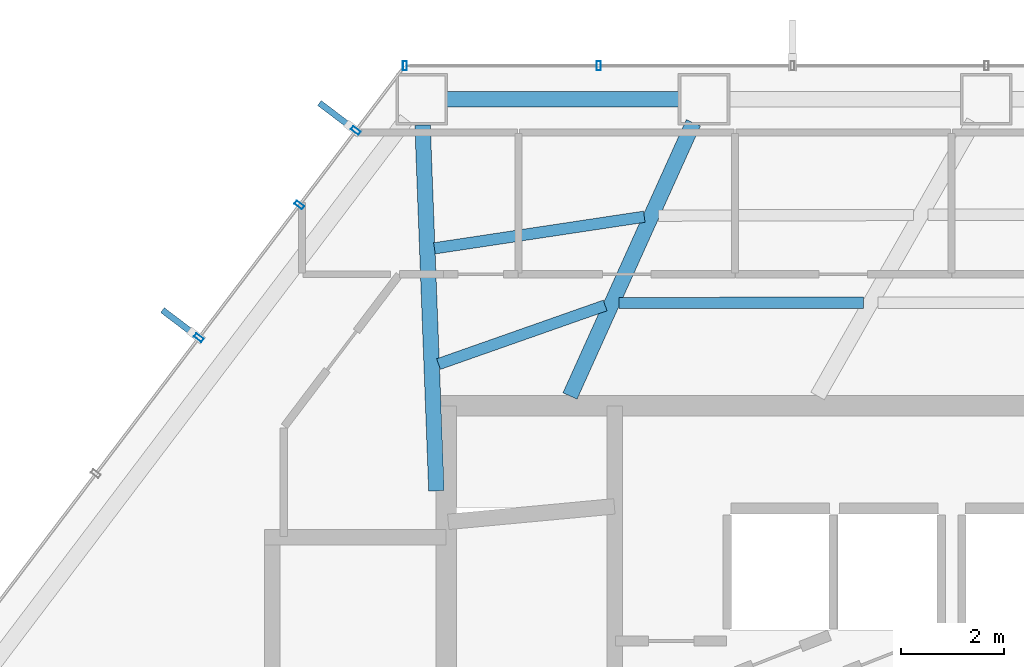
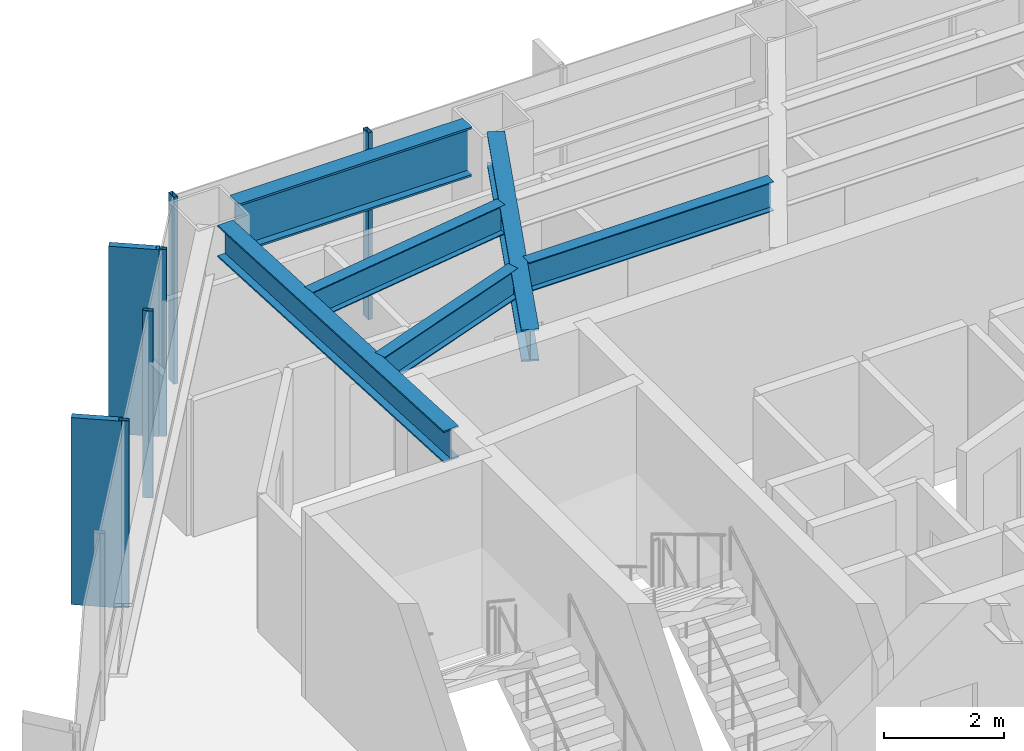
# One storey, part 12 of 25: 7 members, 6 beams, 2 elements without a shape of their own.
"""IFC4 building model written with IfcOpenShell, lengths in metres."""

import ifcopenshell
import ifcopenshell.guid

model = None  # the IFC model being written
_history = None  # IfcOwnerHistory: only IFC2X3 demands one
_inside = {}  # id of a spatial element -> (the spatial element, [elements in it])
_under = {}  # id of a project, library or spatial element -> (it, [spatial elements below it])
_declared = {}  # id of a project -> (the project, [libraries it declares])
_typed = {}  # id of a type object -> (the type object, [elements of that type])
_made_of = {}  # id of a material, layer set ... -> (it, [elements and type objects made of it])


def new_model(schema):
    """Start an empty IFC model of exactly this schema.

    Asked for "IFC4X3", IfcOpenShell would pick the latest addendum, in which some entities
    have other attributes; the version numbers below select the first issue.
    IFC2X3 requires an IfcOwnerHistory on every rooted entity: one is made here for all.
    """
    global model, _history
    if schema == "IFC4X3":
        model = ifcopenshell.file(schema_version=(4, 3, 0, 0))
    else:
        model = ifcopenshell.file(schema=schema)
    _inside.clear()
    _under.clear()
    _declared.clear()
    _typed.clear()
    _made_of.clear()
    _history = None
    if model.schema == "IFC2X3":
        org = make("IfcOrganization", Name="unknown")
        user = make(
            "IfcPersonAndOrganization",
            ThePerson=make("IfcPerson", FamilyName="unknown"),
            TheOrganization=org,
        )
        app = make(
            "IfcApplication",
            ApplicationDeveloper=org,
            Version="unknown",
            ApplicationFullName="unknown",
            ApplicationIdentifier="unknown",
        )
        _history = make(
            "IfcOwnerHistory",
            OwningUser=user,
            OwningApplication=app,
            ChangeAction="ADDED",
            CreationDate=0,
        )
    return model


def make(cls, **values):
    """One entity of the class cls with the attributes given. An attribute that is None is left unset."""
    return model.create_entity(
        cls, **{name: value for name, value in values.items() if value is not None}
    )


def rooted(cls, **values):
    """An entity with a GlobalId (a new one), such as an element, a storey or a relation."""
    return make(cls, GlobalId=ifcopenshell.guid.new(), OwnerHistory=_history, **values)


def si_unit(unit_type, name, prefix=None):
    """IfcSIUnit, for example si_unit("LENGTHUNIT", "METRE", prefix="MILLI")."""
    return make("IfcSIUnit", UnitType=unit_type, Prefix=prefix, Name=name)


def assignment(units):
    """IfcUnitAssignment: the units of a project."""
    return None if units is None else make("IfcUnitAssignment", Units=units)


def point(xyz):
    """IfcCartesianPoint."""
    return None if xyz is None else make("IfcCartesianPoint", Coordinates=xyz)


def direction(xyz):
    """IfcDirection."""
    return None if xyz is None else make("IfcDirection", DirectionRatios=xyz)


def frame(location, z_axis=None, x_axis=None):
    """IfcAxis2Placement3D, a coordinate frame: its origin and axes. An axis left out is left unset."""
    return make(
        "IfcAxis2Placement3D",
        Location=point(location),
        Axis=direction(z_axis),
        RefDirection=direction(x_axis),
    )


def frame_2d(location, x_axis=None):
    """IfcAxis2Placement2D, a coordinate frame in the plane: its origin and x axis."""
    return make(
        "IfcAxis2Placement2D", Location=point(location), RefDirection=direction(x_axis)
    )


def origin():
    """The frame at (0, 0, 0) with its axes left unset."""
    return frame((0.0, 0.0, 0.0))


def origin_2d():
    """The frame at (0, 0) in the plane with its x axis left unset."""
    return frame_2d((0.0, 0.0))


def place(relative_to, where):
    """IfcLocalPlacement: puts the frame where relative to a parent placement (None: the world)."""
    return make(
        "IfcLocalPlacement", PlacementRelTo=relative_to, RelativePlacement=where
    )


def context(
    kind, dimensions, precision=None, world=None, true_north=None, identifier=None
):
    """IfcGeometricRepresentationContext, for example the 3D "Model" context."""
    return make(
        "IfcGeometricRepresentationContext",
        ContextIdentifier=identifier,
        ContextType=kind,
        CoordinateSpaceDimension=dimensions,
        Precision=precision,
        WorldCoordinateSystem=world,
        TrueNorth=true_north,
    )


def subcontext(parent, identifier, kind, view, scale=None):
    """IfcGeometricRepresentationSubContext, for example "Body" below "Model"."""
    return make(
        "IfcGeometricRepresentationSubContext",
        ContextIdentifier=identifier,
        ContextType=kind,
        ParentContext=parent,
        TargetScale=scale,
        TargetView=view,
    )


def project(units=None, contexts=None):
    """IfcProject with its units and contexts."""
    return rooted(
        "IfcProject",
        Name="project",
        RepresentationContexts=contexts,
        UnitsInContext=assignment(units),
    )


def spatial(cls, under=None, at=None, **own):
    """A site, building, storey or space (cls), placed at a placement, below another one or the project."""
    s = rooted(cls, ObjectPlacement=at, **own)
    if under is not None:
        _under.setdefault(under.id(), (under, []))[1].append(s)
    return s


def profile(cls, at=None, kind="AREA", **sizes):
    """A parametric profile (cls). Its sizes go by their IFC names, for example OverallWidth=200.0."""
    return make(cls, ProfileType=kind, Position=at, **sizes)


def rectangle(**sizes):
    """IfcRectangleProfileDef."""
    return profile("IfcRectangleProfileDef", **sizes)


def hollow_rectangle(**sizes):
    """IfcRectangleHollowProfileDef."""
    return profile("IfcRectangleHollowProfileDef", **sizes)


def i_section(**sizes):
    """IfcIShapeProfileDef."""
    return profile("IfcIShapeProfileDef", **sizes)


def extrude(swept, where, along, depth):
    """IfcExtrudedAreaSolid: the profile swept, set in the frame where, extruded along a direction by depth."""
    return make(
        "IfcExtrudedAreaSolid",
        SweptArea=swept,
        Position=where,
        ExtrudedDirection=direction(along),
        Depth=depth,
    )


def shape(context_of_items, identifier, shape_type, items):
    """IfcShapeRepresentation: the items that make up one representation, for example the "Body"."""
    return make(
        "IfcShapeRepresentation",
        ContextOfItems=context_of_items,
        RepresentationIdentifier=identifier,
        RepresentationType=shape_type,
        Items=items,
    )


def material(Name=None, Category=None):
    """IfcMaterial."""
    return make("IfcMaterial", Name=Name, Category=Category)


def layer(
    of_material, thickness, ventilated=None, Name=None, Category=None, Priority=None
):
    """IfcMaterialLayer: one layer of a wall or slab, of a material (None: an air gap)."""
    return make(
        "IfcMaterialLayer",
        Material=of_material,
        LayerThickness=thickness,
        IsVentilated=ventilated,
        Name=Name,
        Category=Category,
        Priority=Priority,
    )


def layer_set(layers, Name=None):
    """IfcMaterialLayerSet."""
    return make("IfcMaterialLayerSet", MaterialLayers=layers, LayerSetName=Name)


def material_profile(
    of_material, cross_section, Name=None, Category=None, Priority=None
):
    """IfcMaterialProfile: a cross section and its material."""
    return make(
        "IfcMaterialProfile",
        Name=Name,
        Material=of_material,
        Profile=cross_section,
        Priority=Priority,
        Category=Category,
    )


def profile_set(profiles, Name=None, composite=None):
    """IfcMaterialProfileSet."""
    return make(
        "IfcMaterialProfileSet",
        Name=Name,
        MaterialProfiles=profiles,
        CompositeProfile=composite,
    )


def made_of(thing, what):
    """Note that an element or type object is made of a material, layer set ...; save() writes the relation."""
    if what is not None:
        _made_of.setdefault(what.id(), (what, []))[1].append(thing)
    return thing


def type_object(cls, material=None, **own):
    """A type object (cls), such as IfcWallType, which elements share."""
    return made_of(rooted(cls, **own), material)


def element(
    cls,
    number,
    at=None,
    inside=None,
    cuts=None,
    type_object=None,
    material=None,
    context=None,
    identifier="Body",
    shape_type=None,
    held_by="IfcProductDefinitionShape",
    body=None,
    shapes=None,
    **own,
):
    """One element of the class cls, such as IfcWall. Its Tag is "e" and its number.

    at: its placement. inside: the storey or other place that contains it. cuts: it is an
    opening in that element (IfcRelVoidsElement). A single representation is given by context,
    identifier, shape_type and body (its items); several are given by shapes. held_by: the class
    of the entity that holds the representations. save() writes the other relations.
    """
    e = rooted(cls, Tag="e%d" % number, ObjectPlacement=at, **own)
    if body is not None:
        shapes = [shape(context, identifier, shape_type, body)]
    if shapes is not None:
        e.Representation = make(held_by, Representations=shapes)
    if inside is not None:
        _inside.setdefault(inside.id(), (inside, []))[1].append(e)
    if cuts is not None:
        rooted(
            "IfcRelVoidsElement", RelatingBuildingElement=cuts, RelatedOpeningElement=e
        )
    if type_object is not None:
        _typed.setdefault(type_object.id(), (type_object, []))[1].append(e)
    return made_of(e, material)


def aggregate(whole, parts):
    """IfcRelAggregates: a whole, such as a stair, and the parts it consists of."""
    return rooted("IfcRelAggregates", RelatingObject=whole, RelatedObjects=parts)


def save(model, path):
    """Write the relations noted so far, then the file.

    IfcRelAggregates (storeys below a building ...), IfcRelContainedInSpatialStructure (elements
    in a storey), IfcRelDefinesByType, IfcRelAssociatesMaterial and IfcRelDeclares: one each for
    every whole, place, type object, material and project.
    """
    for whole, parts in _under.values():
        aggregate(whole, parts)
    for where, things in _inside.values():
        rooted(
            "IfcRelContainedInSpatialStructure",
            RelatedElements=things,
            RelatingStructure=where,
        )
    for kind, things in _typed.values():
        rooted("IfcRelDefinesByType", RelatedObjects=things, RelatingType=kind)
    for what, things in _made_of.values():
        rooted("IfcRelAssociatesMaterial", RelatedObjects=things, RelatingMaterial=what)
    for by, libraries in _declared.values():
        rooted("IfcRelDeclares", RelatingContext=by, RelatedDefinitions=libraries)
    model.write(path)


model = new_model("IFC4")

# Units and contexts
model_context = context("Model", 3, precision=1e-05, world=origin(), true_north=direction((0.0, 1.0)))
body_context = subcontext(model_context, "Body", "Model", "MODEL_VIEW")
ifc_project = project(units=[si_unit("LENGTHUNIT", "METRE"), si_unit("AREAUNIT", "SQUARE_METRE"), si_unit("VOLUMEUNIT", "CUBIC_METRE"), si_unit("PLANEANGLEUNIT", "RADIAN"), si_unit("MASSUNIT", "GRAM", prefix="KILO")], contexts=[model_context])

# Site, building, storey
site_placement = place(None, origin())
site = spatial("IfcSite", under=ifc_project, at=site_placement, CompositionType="ELEMENT")
building_placement = place(site_placement, origin())
building = spatial("IfcBuilding", under=site, at=building_placement, Name="Zarrinselat Tower", CompositionType="ELEMENT")
storey_placement = place(building_placement, frame((0.0, 0.0, 39.780029296875)))
storey = spatial("IfcBuildingStorey", under=building, at=storey_placement, Name="L09", CompositionType="ELEMENT", Elevation=39.780029296875)

# Beams
ifc_material_1 = material(Name="Steel S355J2", Category="steel")
ifc_material_profile_1 = material_profile(ifc_material_1, i_section(OverallWidth=0.300048828125, OverallDepth=0.64990234375, WebThickness=0.01611328125, FlangeThickness=0.031005859375, at=origin_2d()), Name="HEB 650")
ifc_profile_set_1 = profile_set([ifc_material_profile_1], Name="Steel S355J2")
beam_type_1 = type_object("IfcBeamType", Name="BM-HEB650", PredefinedType="BEAM", material=ifc_profile_set_1)
beam_1_placement = place(storey_placement, frame((31.0, 43.639892578125, 3.494873046875), z_axis=(0.411494429737, 0.911412274602, 0.0), x_axis=(-0.911412274602, 0.411494429737, 0.0)))
element("IfcBeam", 1, at=beam_1_placement, inside=storey, type_object=beam_type_1, Name="L09 Radial Primary Girder RG04", PredefinedType="BEAM", context=body_context, shape_type="SweptSolid", body=[
    extrude(i_section(OverallWidth=0.300048828125, OverallDepth=0.64990234375, WebThickness=0.01611328125, FlangeThickness=0.031005859375, at=origin_2d()), origin(), (0.0, 0.0, 1.0), 5.81201171875),
])
beam_2_placement = place(storey_placement, frame((28.14111328125, 48.892822265625, 3.494873046875), z_axis=(0.037870377551, -0.999282659964, 0.0), x_axis=(0.999282659964, 0.037870377551, 0.0)))
element("IfcBeam", 2, at=beam_2_placement, inside=storey, type_object=beam_type_1, Name="L09 Radial Primary Girder RG05", PredefinedType="BEAM", context=body_context, shape_type="SweptSolid", body=[
    extrude(i_section(OverallWidth=0.300048828125, OverallDepth=0.64990234375, WebThickness=0.01611328125, FlangeThickness=0.031005859375, at=origin_2d()), origin(), (0.0, 0.0, 1.0), 7.097900390625),
])
ifc_material_2 = material(Name="Steel S460M", Category="steel")
ifc_material_profile_2 = material_profile(ifc_material_2, i_section(OverallWidth=0.302001953125, OverallDepth=1.008056640625, WebThickness=0.02099609375, FlangeThickness=0.0400390625, at=origin_2d()), Name="HEM 1000")
ifc_profile_set_2 = profile_set([ifc_material_profile_2], Name="Steel S460M")
beam_type_2 = type_object("IfcBeamType", Name="BM-HEM1000", PredefinedType="BEAM", material=ifc_profile_set_2)
beam_3_placement = place(storey_placement, frame((28.610107421875, 49.394287109375, 3.31591796875), z_axis=(1.0, 0.0, 0.0), x_axis=(0.0, 1.0, 0.0)))
element("IfcBeam", 3, at=beam_3_placement, inside=storey, type_object=beam_type_2, Name="L09 Perimeter Spandrel Girder SP04", PredefinedType="BEAM", context=body_context, shape_type="SweptSolid", body=[
    extrude(i_section(OverallWidth=0.302001953125, OverallDepth=1.008056640625, WebThickness=0.02099609375, FlangeThickness=0.0400390625, at=origin_2d()), origin(), (0.0, 0.0, 1.0), 4.5),
])
ifc_material_3 = material(Name="Steel S355J2", Category="steel")
ifc_material_profile_3 = material_profile(ifc_material_3, i_section(OverallWidth=0.219970703125, OverallDepth=0.60009765625, WebThickness=0.011962890625, FlangeThickness=0.01904296875, at=origin_2d()), Name="IPE 600")
ifc_profile_set_3 = profile_set([ifc_material_profile_3], Name="Steel S355J2")
beam_type_3 = type_object("IfcBeamType", Name="BM-IPE600", PredefinedType="JOIST", material=ifc_profile_set_3)
beam_4_placement = place(storey_placement, frame((31.953125, 45.441162109375, 3.52001953125), z_axis=(0.999998958123, 0.00144352069, 0.0), x_axis=(-0.00144352069, 0.999998958123, 0.0)))
element("IfcBeam", 4, at=beam_4_placement, inside=storey, type_object=beam_type_3, Name="L09 Composite Floor Joist 9-2", PredefinedType="JOIST", context=body_context, shape_type="SweptSolid", body=[
    extrude(i_section(OverallWidth=0.219970703125, OverallDepth=0.60009765625, WebThickness=0.011962890625, FlangeThickness=0.01904296875, at=origin_2d()), origin(), (0.0, 0.0, 1.0), 4.735595703125),
])
beam_5_placement = place(storey_placement, frame((28.37109375, 46.502197265625, 3.52001953125), z_axis=(0.988848267317, 0.148926506118, 0.0), x_axis=(-0.148926506118, 0.988848267317, 0.0)))
element("IfcBeam", 5, at=beam_5_placement, inside=storey, type_object=beam_type_3, Name="L09 Composite Floor Joist 10-1", PredefinedType="JOIST", context=body_context, shape_type="SweptSolid", body=[
    extrude(i_section(OverallWidth=0.219970703125, OverallDepth=0.60009765625, WebThickness=0.011962890625, FlangeThickness=0.01904296875, at=origin_2d()), origin(), (0.0, 0.0, 1.0), 4.11474609375),
])
beam_6_placement = place(storey_placement, frame((28.45068359375, 44.258056640625, 3.52001953125), z_axis=(0.943328096954, 0.33186156978, 0.0), x_axis=(-0.33186156978, 0.943328096954, 0.0)))
element("IfcBeam", 6, at=beam_6_placement, inside=storey, type_object=beam_type_3, Name="L09 Composite Floor Joist 10-2", PredefinedType="JOIST", context=body_context, shape_type="SweptSolid", body=[
    extrude(i_section(OverallWidth=0.219970703125, OverallDepth=0.60009765625, WebThickness=0.011962890625, FlangeThickness=0.01904296875, at=origin_2d()), origin(), (0.0, 0.0, 1.0), 3.424560546875),
])

# Curtain wall, members
ifc_material_4 = material(Name="Extruded Aluminium Alloy EN AW-6063 T6", Category="aluminium")
ifc_layer = layer(ifc_material_4, 0.18505859375)
ifc_layer_set = layer_set([ifc_layer], Name="Extruded Aluminium Alloy EN AW-6063 T6")
curtain_wall_type = type_object("IfcCurtainWallType", Name="CWS-OFF", PredefinedType="NOTDEFINED", material=ifc_layer_set)
curtain_wall_1_placement = place(storey_placement, origin())
curtain_wall_1 = element("IfcCurtainWall", 7, at=curtain_wall_1_placement, inside=storey, type_object=curtain_wall_type, Name="L09 Unitised Curtain Wall CW-L09-E01", PredefinedType="NOTDEFINED")
ifc_material_5 = material(Name="Extruded Aluminium Alloy EN AW-6063 T6", Category="aluminium")
ifc_material_profile_4 = material_profile(ifc_material_5, hollow_rectangle(XDim=0.080078125, YDim=0.179931640625, WallThickness=0.0048828125, at=origin_2d()), Name="RHS 180x80x5")
ifc_profile_set_4 = profile_set([ifc_material_profile_4], Name="Extruded Aluminium Alloy EN AW-6063 T6")
member_type_1 = type_object("IfcMemberType", Name="MEM-CW-MUL", PredefinedType="MULLION", material=ifc_profile_set_4)
member_1_placement = place(storey_placement, frame((31.5576171875, 50.04443359375, 0.0), z_axis=(0.0, 0.0, 1.0), x_axis=(-1.0, 0.0, 0.0)))
member_1 = element("IfcMember", 8, at=member_1_placement, type_object=member_type_1, Name="CW-L09-E01 Mullion 6", PredefinedType="MULLION", context=body_context, shape_type="SweptSolid", body=[
    extrude(hollow_rectangle(XDim=0.080078125, YDim=0.179931640625, WallThickness=0.0048828125, at=origin_2d()), origin(), (0.0, 0.0, 1.0), 3.820068359375),
])
member_2_placement = place(storey_placement, frame((27.799072265625, 50.04443359375, 0.0), z_axis=(0.0, 0.0, 1.0), x_axis=(-1.0, 0.0, 0.0)))
member_2 = element("IfcMember", 9, at=member_2_placement, type_object=member_type_1, Name="CW-L09-E01 Mullion 7", PredefinedType="MULLION", context=body_context, shape_type="SweptSolid", body=[
    extrude(hollow_rectangle(XDim=0.080078125, YDim=0.179931640625, WallThickness=0.0048828125, at=origin_2d()), origin(), (0.0, 0.0, 1.0), 3.820068359375),
])
aggregate(curtain_wall_1, [member_1, member_2])

curtain_wall_2_placement = place(storey_placement, origin())
curtain_wall_2 = element("IfcCurtainWall", 10, at=curtain_wall_2_placement, inside=storey, type_object=curtain_wall_type, Name="L09 Unitised Curtain Wall CW-L09-E02", PredefinedType="NOTDEFINED")
member_3_placement = place(storey_placement, frame((26.845947265625, 48.7861328125, 0.0), z_axis=(0.0, 0.0, 1.0), x_axis=(-0.603856912101, -0.797092735952, 0.0)))
member_3 = element("IfcMember", 11, at=member_3_placement, type_object=member_type_1, Name="CW-L09-E02 Mullion 1", PredefinedType="MULLION", context=body_context, shape_type="SweptSolid", body=[
    extrude(hollow_rectangle(XDim=0.080078125, YDim=0.179931640625, WallThickness=0.0048828125, at=origin_2d()), origin(), (0.0, 0.0, 1.0), 3.820068359375),
])
member_4_placement = place(storey_placement, frame((25.752197265625, 47.34228515625, 0.0), z_axis=(0.0, 0.0, 1.0), x_axis=(-0.603856912101, -0.797092735952, 0.0)))
member_4 = element("IfcMember", 12, at=member_4_placement, type_object=member_type_1, Name="CW-L09-E02 Mullion 2", PredefinedType="MULLION", context=body_context, shape_type="SweptSolid", body=[
    extrude(hollow_rectangle(XDim=0.080078125, YDim=0.179931640625, WallThickness=0.0048828125, at=origin_2d()), origin(), (0.0, 0.0, 1.0), 3.820068359375),
])
member_5_placement = place(storey_placement, frame((23.80322265625, 44.77001953125, 0.0), z_axis=(0.0, 0.0, 1.0), x_axis=(-0.603856912101, -0.797092735952, 0.0)))
member_5 = element("IfcMember", 13, at=member_5_placement, type_object=member_type_1, Name="CW-L09-E02 Mullion 3", PredefinedType="MULLION", context=body_context, shape_type="SweptSolid", body=[
    extrude(hollow_rectangle(XDim=0.080078125, YDim=0.179931640625, WallThickness=0.0048828125, at=origin_2d()), origin(), (0.0, 0.0, 1.0), 3.820068359375),
])
ifc_material_6 = material(Name="Honed Cream Travertine Stone", Category="masonry")
ifc_material_profile_5 = material_profile(ifc_material_6, rectangle(XDim=0.1201171875, YDim=0.85009765625, at=origin_2d()), Name="FIN 850x120")
ifc_profile_set_5 = profile_set([ifc_material_profile_5], Name="Honed Cream Travertine Stone")
member_type_2 = type_object("IfcMemberType", Name="MEM-STONE-FIN", PredefinedType="USERDEFINED", material=ifc_profile_set_5)
member_6_placement = place(storey_placement, frame((26.479248046875, 49.06396484375, 0.0), z_axis=(0.0, 0.0, 1.0), x_axis=(0.603856912101, 0.797092735952, 0.0)))
member_6 = element("IfcMember", 14, at=member_6_placement, type_object=member_type_2, Name="L09 Stone Shading Fin CW-L09-E02-01", ObjectType="FIN", PredefinedType="USERDEFINED", context=body_context, shape_type="SweptSolid", body=[
    extrude(rectangle(XDim=0.1201171875, YDim=0.85009765625, at=origin_2d()), origin(), (0.0, 0.0, 1.0), 3.820068359375),
])
member_7_placement = place(storey_placement, frame((23.4365234375, 45.047607421875, 0.0), z_axis=(0.0, 0.0, 1.0), x_axis=(0.603856912101, 0.797092735952, 0.0)))
member_7 = element("IfcMember", 15, at=member_7_placement, type_object=member_type_2, Name="L09 Stone Shading Fin CW-L09-E02-03", ObjectType="FIN", PredefinedType="USERDEFINED", context=body_context, shape_type="SweptSolid", body=[
    extrude(rectangle(XDim=0.1201171875, YDim=0.85009765625, at=origin_2d()), origin(), (0.0, 0.0, 1.0), 3.820068359375),
])
aggregate(curtain_wall_2, [member_3, member_6, member_4, member_5, member_7])

save(model, "model.ifc")
